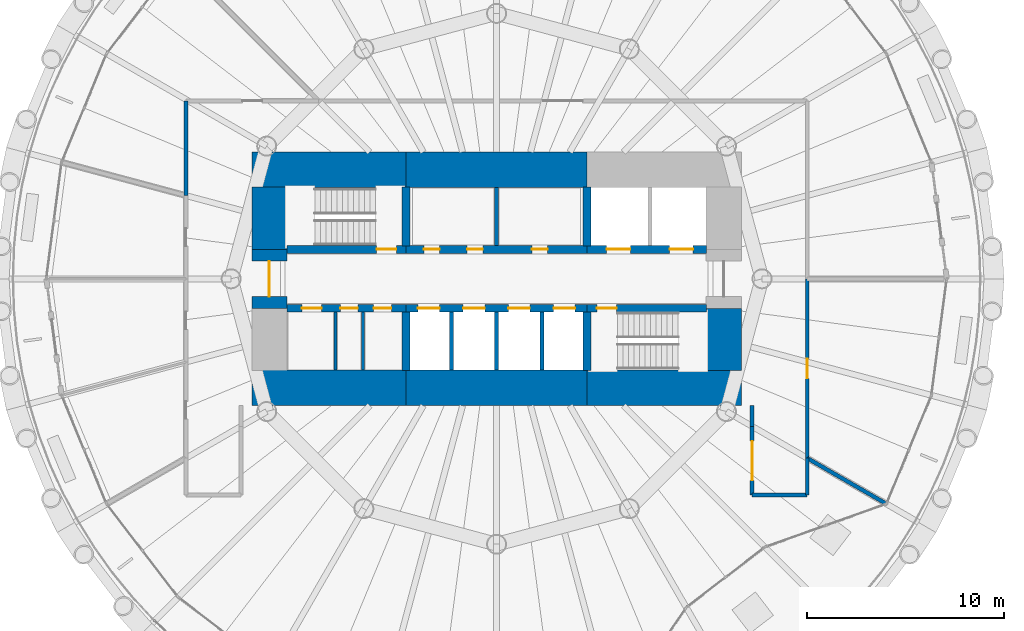
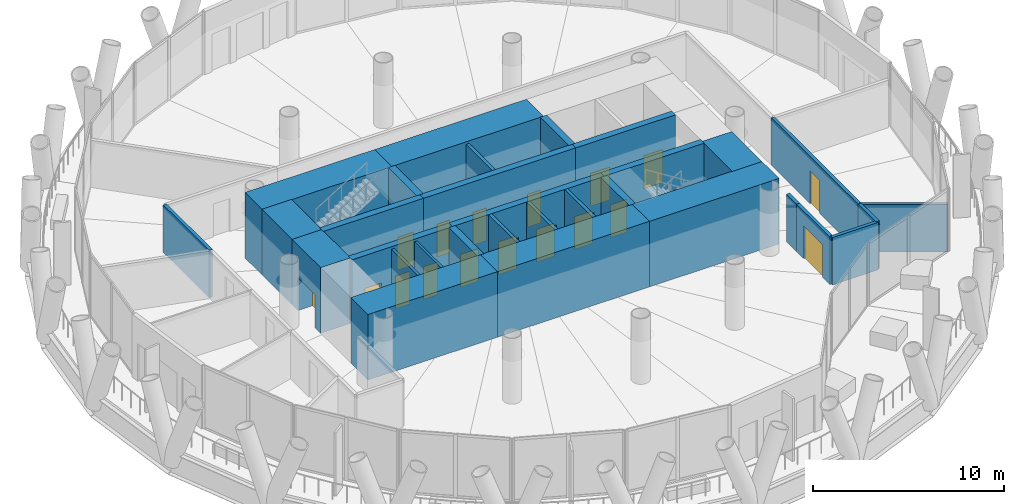
# One storey, part 10 of 15: 31 walls, 17 doors, 17 openings.
"""IFC4 building model written with IfcOpenShell, lengths in metres."""

from ifc_helpers import new_model, si_unit, direction, frame, frame_2d, origin, place, context, subcontext, project, spatial, rectangle, extrude, material, layer, layer_set, type_object, element, fill, save


model = new_model("IFC4")

# Units and contexts
model_context = context("Model", 3, precision=1e-05, world=origin(), true_north=direction((0.0, 1.0)))
body_context = subcontext(model_context, "Body", "Model", "MODEL_VIEW")
ifc_project = project(units=[si_unit("LENGTHUNIT", "METRE"), si_unit("AREAUNIT", "SQUARE_METRE"), si_unit("VOLUMEUNIT", "CUBIC_METRE"), si_unit("PLANEANGLEUNIT", "RADIAN"), si_unit("MASSUNIT", "GRAM", prefix="KILO")], contexts=[model_context])

# Site, building, storey
site_placement = place(None, origin())
site = spatial("IfcSite", under=ifc_project, at=site_placement, CompositionType="ELEMENT")
building_placement = place(site_placement, origin())
building = spatial("IfcBuilding", under=site, at=building_placement, Name="Qaws Media Tower", CompositionType="ELEMENT")
storey_placement = place(building_placement, frame((0.0, 0.0, 110.0)))
storey = spatial("IfcBuildingStorey", under=building, at=storey_placement, Name="L24", CompositionType="ELEMENT", Elevation=110.0)

# Wall, opening, door
ifc_material_1 = material(Name="Concrete C60/75", Category="concrete")
ifc_layer_1 = layer(ifc_material_1, 0.39990234375)
ifc_layer_set_1 = layer_set([ifc_layer_1], Name="Core inner wall 400")
wall_type_1 = type_object("IfcWallType", Name="Core inner wall 400", PredefinedType="SHEAR", material=ifc_layer_set_1)
wall_1_placement = place(storey_placement, frame((49.330078125, 51.5, 0.0), z_axis=(0.0, 0.0, 1.0), x_axis=(1.0, 0.0, 0.0)))
wall_1 = element("IfcWall", 1, at=wall_1_placement, inside=storey, type_object=wall_type_1, Name="W321 SW4 core wall SPNW L24", PredefinedType="SHEAR", context=body_context, shape_type="SweptSolid", body=[
    extrude(rectangle(XDim=6.06982421875, YDim=0.39990234375, at=frame_2d((3.034912109375, 0.0))), origin(), (0.0, 0.0, 1.0), 4.199951171875),
])
opening_1_placement = place(wall_1_placement, frame((4.570068359375, 0.0, 0.0)))
opening_1 = element("IfcOpeningElement", 2, at=opening_1_placement, cuts=wall_1, Name="Opening D1", PredefinedType="OPENING", context=body_context, shape_type="SweptSolid", body=[
    extrude(rectangle(XDim=1.0, YDim=2.10009765625, at=frame_2d((0.5, 1.050048828125))), frame((0.0, 0.2099609375, 0.0), z_axis=(0.0, -1.0, 0.0), x_axis=(1.0, 0.0, 0.0)), (0.0, 0.0, 1.0), 0.419921875),
])
ifc_material_2 = material(Name="Steel, fire rated", Category="steel")
door_type_1 = type_object("IfcDoorType", Name="Stair door 1000 FD120", OperationType="SINGLE_SWING_LEFT", PredefinedType="DOOR", material=ifc_material_2)
door_1_placement = place(opening_1_placement, origin())
door_1 = element("IfcDoor", 3, at=door_1_placement, inside=storey, type_object=door_type_1, Name="D1 stair S1 door L24 in wall W321", OperationType="SINGLE_SWING_LEFT", OverallHeight=2.10009765625, OverallWidth=1.0, PredefinedType="DOOR", context=body_context, shape_type="SweptSolid", body=[
    extrude(rectangle(XDim=1.0, YDim=2.10009765625, at=frame_2d((0.5, 1.050048828125))), frame((0.0, 0.02490234375, 0.0), z_axis=(0.0, -1.0, 0.0), x_axis=(1.0, 0.0, 0.0)), (0.0, 0.0, 1.0), 0.050048828125),
])
fill(opening_1, door_1)

# Wall, openings, doors
wall_2_placement = place(storey_placement, frame((55.39990234375, 51.5, 0.0), z_axis=(0.0, 0.0, 1.0), x_axis=(1.0, 0.0, 0.0)))
wall_2 = element("IfcWall", 4, at=wall_2_placement, inside=storey, type_object=wall_type_1, Name="W314 SW4 core wall SPN L24", PredefinedType="SHEAR", context=body_context, shape_type="SweptSolid", body=[
    extrude(rectangle(XDim=9.2001953125, YDim=0.39990234375, at=frame_2d((4.60009765625, 0.0))), origin(), (0.0, 0.0, 1.0), 4.199951171875),
])
opening_2_placement = place(wall_2_placement, frame((0.89990234375, 0.0, 0.0)))
opening_2 = element("IfcOpeningElement", 5, at=opening_2_placement, cuts=wall_2, Name="Opening D23", PredefinedType="OPENING", context=body_context, shape_type="SweptSolid", body=[
    extrude(rectangle(XDim=0.800048828125, YDim=2.10009765625, at=frame_2d((0.39990234375, 1.050048828125))), frame((0.0, 0.2099609375, 0.0), z_axis=(0.0, -1.0, 0.0), x_axis=(1.0, 0.0, 0.0)), (0.0, 0.0, 1.0), 0.419921875),
])
opening_3_placement = place(wall_2_placement, frame((3.10009765625, 0.0, 0.0)))
opening_3 = element("IfcOpeningElement", 6, at=opening_3_placement, cuts=wall_2, Name="Opening D23", PredefinedType="OPENING", context=body_context, shape_type="SweptSolid", body=[
    extrude(rectangle(XDim=0.800048828125, YDim=2.10009765625, at=frame_2d((0.39990234375, 1.050048828125))), frame((0.0, 0.2099609375, 0.0), z_axis=(0.0, -1.0, 0.0), x_axis=(1.0, 0.0, 0.0)), (0.0, 0.0, 1.0), 0.419921875),
])
opening_4_placement = place(wall_2_placement, frame((6.39990234375, 0.0, 0.0)))
opening_4 = element("IfcOpeningElement", 7, at=opening_4_placement, cuts=wall_2, Name="Opening D23", PredefinedType="OPENING", context=body_context, shape_type="SweptSolid", body=[
    extrude(rectangle(XDim=0.800048828125, YDim=2.10009765625, at=frame_2d((0.39990234375, 1.050048828125))), frame((0.0, 0.2099609375, 0.0), z_axis=(0.0, -1.0, 0.0), x_axis=(1.0, 0.0, 0.0)), (0.0, 0.0, 1.0), 0.419921875),
])
ifc_material_3 = material(Name="Steel, fire rated", Category="steel")
door_type_2 = type_object("IfcDoorType", Name="Core room door 800x2100", OperationType="SINGLE_SWING_LEFT", PredefinedType="DOOR", material=ifc_material_3)
door_2_placement = place(opening_2_placement, origin())
door_2 = element("IfcDoor", 8, at=door_2_placement, inside=storey, type_object=door_type_2, Name="D23 Ladies toilets door L24 1 in wall W314", OperationType="SINGLE_SWING_LEFT", OverallHeight=2.10009765625, OverallWidth=0.800048828125, PredefinedType="DOOR", context=body_context, shape_type="SweptSolid", body=[
    extrude(rectangle(XDim=0.800048828125, YDim=2.10009765625, at=frame_2d((0.39990234375, 1.050048828125))), frame((0.0, 0.02490234375, 0.0), z_axis=(0.0, -1.0, 0.0), x_axis=(1.0, 0.0, 0.0)), (0.0, 0.0, 1.0), 0.050048828125),
])
fill(opening_2, door_2)
door_3_placement = place(opening_3_placement, origin())
door_3 = element("IfcDoor", 9, at=door_3_placement, inside=storey, type_object=door_type_2, Name="D23 Ladies toilets door L24 2 in wall W314", OperationType="SINGLE_SWING_LEFT", OverallHeight=2.10009765625, OverallWidth=0.800048828125, PredefinedType="DOOR", context=body_context, shape_type="SweptSolid", body=[
    extrude(rectangle(XDim=0.800048828125, YDim=2.10009765625, at=frame_2d((0.39990234375, 1.050048828125))), frame((0.0, 0.02490234375, 0.0), z_axis=(0.0, -1.0, 0.0), x_axis=(1.0, 0.0, 0.0)), (0.0, 0.0, 1.0), 0.050048828125),
])
fill(opening_3, door_3)
door_4_placement = place(opening_4_placement, origin())
door_4 = element("IfcDoor", 10, at=door_4_placement, inside=storey, type_object=door_type_2, Name="D23 Gents toilets door L24 in wall W314", OperationType="SINGLE_SWING_LEFT", OverallHeight=2.10009765625, OverallWidth=0.800048828125, PredefinedType="DOOR", context=body_context, shape_type="SweptSolid", body=[
    extrude(rectangle(XDim=0.800048828125, YDim=2.10009765625, at=frame_2d((0.39990234375, 1.050048828125))), frame((0.0, 0.02490234375, 0.0), z_axis=(0.0, -1.0, 0.0), x_axis=(1.0, 0.0, 0.0)), (0.0, 0.0, 1.0), 0.050048828125),
])
fill(opening_4, door_4)

wall_3_placement = place(storey_placement, frame((64.60009765625, 51.5, 0.0), z_axis=(0.0, 0.0, 1.0), x_axis=(1.0, 0.0, 0.0)))
wall_3 = element("IfcWall", 11, at=wall_3_placement, inside=storey, type_object=wall_type_1, Name="W326 SW4 core wall SPNE L24", PredefinedType="SHEAR", context=body_context, shape_type="SweptSolid", body=[
    extrude(rectangle(XDim=6.06982421875, YDim=0.39990234375, at=frame_2d((3.034912109375, 0.0))), origin(), (0.0, 0.0, 1.0), 4.199951171875),
])
opening_5_placement = place(wall_3_placement, frame((1.0, 0.0, 0.0)))
opening_5 = element("IfcOpeningElement", 12, at=opening_5_placement, cuts=wall_3, Name="Opening LD2", PredefinedType="OPENING", context=body_context, shape_type="SweptSolid", body=[
    extrude(rectangle(XDim=1.199951171875, YDim=2.10009765625, at=frame_2d((0.60009765625, 1.050048828125))), frame((0.0, 0.2099609375, 0.0), z_axis=(0.0, -1.0, 0.0), x_axis=(1.0, 0.0, 0.0)), (0.0, 0.0, 1.0), 0.419921875),
])
opening_6_placement = place(wall_3_placement, frame((4.199951171875, 0.0, 0.0)))
opening_6 = element("IfcOpeningElement", 13, at=opening_6_placement, cuts=wall_3, Name="Opening LD2", PredefinedType="OPENING", context=body_context, shape_type="SweptSolid", body=[
    extrude(rectangle(XDim=1.199951171875, YDim=2.10009765625, at=frame_2d((0.60009765625, 1.050048828125))), frame((0.0, 0.2099609375, 0.0), z_axis=(0.0, -1.0, 0.0), x_axis=(1.0, 0.0, 0.0)), (0.0, 0.0, 1.0), 0.419921875),
])
ifc_material_4 = material(Name="Steel, fire rated", Category="steel")
door_type_3 = type_object("IfcDoorType", Name="Lift landing door 1200", OperationType="SLIDING_TO_LEFT", PredefinedType="DOOR", material=ifc_material_4)
door_5_placement = place(opening_5_placement, origin())
door_5 = element("IfcDoor", 14, at=door_5_placement, inside=storey, type_object=door_type_3, Name="FL1 landing door L24 in wall W326", OperationType="SLIDING_TO_LEFT", OverallHeight=2.10009765625, OverallWidth=1.199951171875, PredefinedType="DOOR", context=body_context, shape_type="SweptSolid", body=[
    extrude(rectangle(XDim=1.199951171875, YDim=2.10009765625, at=frame_2d((0.60009765625, 1.050048828125))), frame((0.0, 0.02490234375, 0.0), z_axis=(0.0, -1.0, 0.0), x_axis=(1.0, 0.0, 0.0)), (0.0, 0.0, 1.0), 0.050048828125),
])
fill(opening_5, door_5)
door_6_placement = place(opening_6_placement, origin())
door_6 = element("IfcDoor", 15, at=door_6_placement, inside=storey, type_object=door_type_3, Name="FL2 landing door L24 in wall W326", OperationType="SLIDING_TO_LEFT", OverallHeight=2.10009765625, OverallWidth=1.199951171875, PredefinedType="DOOR", context=body_context, shape_type="SweptSolid", body=[
    extrude(rectangle(XDim=1.199951171875, YDim=2.10009765625, at=frame_2d((0.60009765625, 1.050048828125))), frame((0.0, 0.02490234375, 0.0), z_axis=(0.0, -1.0, 0.0), x_axis=(1.0, 0.0, 0.0)), (0.0, 0.0, 1.0), 0.050048828125),
])
fill(opening_6, door_6)

wall_4_placement = place(storey_placement, frame((49.330078125, 48.5, 0.0), z_axis=(0.0, 0.0, 1.0), x_axis=(1.0, 0.0, 0.0)))
wall_4 = element("IfcWall", 16, at=wall_4_placement, inside=storey, type_object=wall_type_1, Name="W320 SW4 core wall SPSW L24", PredefinedType="SHEAR", context=body_context, shape_type="SweptSolid", body=[
    extrude(rectangle(XDim=6.06982421875, YDim=0.39990234375, at=frame_2d((3.034912109375, 0.0))), origin(), (0.0, 0.0, 1.0), 4.199951171875),
])
opening_7_placement = place(wall_4_placement, frame((0.77001953125, 0.0, 0.0)))
opening_7 = element("IfcOpeningElement", 17, at=opening_7_placement, cuts=wall_4, Name="Opening D4", PredefinedType="OPENING", context=body_context, shape_type="SweptSolid", body=[
    extrude(rectangle(XDim=1.0, YDim=2.10009765625, at=frame_2d((0.5, 1.050048828125))), frame((0.0, 0.2099609375, 0.0), z_axis=(0.0, -1.0, 0.0), x_axis=(1.0, 0.0, 0.0)), (0.0, 0.0, 1.0), 0.419921875),
])
opening_8_placement = place(wall_4_placement, frame((2.719970703125, 0.0, 0.0)))
opening_8 = element("IfcOpeningElement", 18, at=opening_8_placement, cuts=wall_4, Name="Opening D25", PredefinedType="OPENING", context=body_context, shape_type="SweptSolid", body=[
    extrude(rectangle(XDim=0.89990234375, YDim=2.10009765625, at=frame_2d((0.449951171875, 1.050048828125))), frame((0.0, 0.2099609375, 0.0), z_axis=(0.0, -1.0, 0.0), x_axis=(1.0, 0.0, 0.0)), (0.0, 0.0, 1.0), 0.419921875),
])
opening_9_placement = place(wall_4_placement, frame((4.419921875, 0.0, 0.0)))
opening_9 = element("IfcOpeningElement", 19, at=opening_9_placement, cuts=wall_4, Name="Opening D25", PredefinedType="OPENING", context=body_context, shape_type="SweptSolid", body=[
    extrude(rectangle(XDim=0.89990234375, YDim=2.10009765625, at=frame_2d((0.449951171875, 1.050048828125))), frame((0.0, 0.2099609375, 0.0), z_axis=(0.0, -1.0, 0.0), x_axis=(1.0, 0.0, 0.0)), (0.0, 0.0, 1.0), 0.419921875),
])
ifc_material_5 = material(Name="Timber veneered", Category="wood")
door_type_4 = type_object("IfcDoorType", Name="Accessible WC door 1000", OperationType="SLIDING_TO_LEFT", PredefinedType="DOOR", material=ifc_material_5)
door_7_placement = place(opening_7_placement, origin())
door_7 = element("IfcDoor", 20, at=door_7_placement, inside=storey, type_object=door_type_4, Name="D4 toilet door 1 L24 in wall W320", OperationType="SLIDING_TO_LEFT", OverallHeight=2.10009765625, OverallWidth=1.0, PredefinedType="DOOR", context=body_context, shape_type="SweptSolid", body=[
    extrude(rectangle(XDim=1.0, YDim=2.10009765625, at=frame_2d((0.5, 1.050048828125))), frame((0.0, 0.02490234375, 0.0), z_axis=(0.0, -1.0, 0.0), x_axis=(1.0, 0.0, 0.0)), (0.0, 0.0, 1.0), 0.050048828125),
])
fill(opening_7, door_7)
ifc_material_6 = material(Name="Steel, fire rated", Category="steel")
door_type_5 = type_object("IfcDoorType", Name="Core service door 900", OperationType="SINGLE_SWING_RIGHT", PredefinedType="DOOR", material=ifc_material_6)
door_8_placement = place(opening_8_placement, origin())
door_8 = element("IfcDoor", 21, at=door_8_placement, inside=storey, type_object=door_type_5, Name="D25 toilet door 2 L24 in wall W320", OperationType="SINGLE_SWING_RIGHT", OverallHeight=2.10009765625, OverallWidth=0.89990234375, PredefinedType="DOOR", context=body_context, shape_type="SweptSolid", body=[
    extrude(rectangle(XDim=0.89990234375, YDim=2.10009765625, at=frame_2d((0.449951171875, 1.050048828125))), frame((0.0, 0.02490234375, 0.0), z_axis=(0.0, -1.0, 0.0), x_axis=(1.0, 0.0, 0.0)), (0.0, 0.0, 1.0), 0.050048828125),
])
fill(opening_8, door_8)
door_9_placement = place(opening_9_placement, origin())
door_9 = element("IfcDoor", 22, at=door_9_placement, inside=storey, type_object=door_type_5, Name="D25 toilet door 3 L24 in wall W320", OperationType="SINGLE_SWING_RIGHT", OverallHeight=2.10009765625, OverallWidth=0.89990234375, PredefinedType="DOOR", context=body_context, shape_type="SweptSolid", body=[
    extrude(rectangle(XDim=0.89990234375, YDim=2.10009765625, at=frame_2d((0.449951171875, 1.050048828125))), frame((0.0, 0.02490234375, 0.0), z_axis=(0.0, -1.0, 0.0), x_axis=(1.0, 0.0, 0.0)), (0.0, 0.0, 1.0), 0.050048828125),
])
fill(opening_9, door_9)

wall_5_placement = place(storey_placement, frame((55.39990234375, 48.5, 0.0), z_axis=(0.0, 0.0, 1.0), x_axis=(1.0, 0.0, 0.0)))
wall_5 = element("IfcWall", 23, at=wall_5_placement, inside=storey, type_object=wall_type_1, Name="W313 SW4 core wall SPS L24", PredefinedType="SHEAR", context=body_context, shape_type="SweptSolid", body=[
    extrude(rectangle(XDim=9.2001953125, YDim=0.39990234375, at=frame_2d((4.60009765625, 0.0))), origin(), (0.0, 0.0, 1.0), 4.199951171875),
])
opening_10_placement = place(wall_5_placement, frame((0.60009765625, 0.0, 0.0)))
opening_10 = element("IfcOpeningElement", 24, at=opening_10_placement, cuts=wall_5, Name="Opening LD", PredefinedType="OPENING", context=body_context, shape_type="SweptSolid", body=[
    extrude(rectangle(XDim=1.10009765625, YDim=2.10009765625, at=frame_2d((0.550048828125, 1.050048828125))), frame((0.0, 0.2099609375, 0.0), z_axis=(0.0, -1.0, 0.0), x_axis=(1.0, 0.0, 0.0)), (0.0, 0.0, 1.0), 0.419921875),
])
opening_11_placement = place(wall_5_placement, frame((2.89990234375, 0.0, 0.0)))
opening_11 = element("IfcOpeningElement", 25, at=opening_11_placement, cuts=wall_5, Name="Opening LD", PredefinedType="OPENING", context=body_context, shape_type="SweptSolid", body=[
    extrude(rectangle(XDim=1.10009765625, YDim=2.10009765625, at=frame_2d((0.550048828125, 1.050048828125))), frame((0.0, 0.2099609375, 0.0), z_axis=(0.0, -1.0, 0.0), x_axis=(1.0, 0.0, 0.0)), (0.0, 0.0, 1.0), 0.419921875),
])
opening_12_placement = place(wall_5_placement, frame((5.199951171875, 0.0, 0.0)))
opening_12 = element("IfcOpeningElement", 26, at=opening_12_placement, cuts=wall_5, Name="Opening LD", PredefinedType="OPENING", context=body_context, shape_type="SweptSolid", body=[
    extrude(rectangle(XDim=1.10009765625, YDim=2.10009765625, at=frame_2d((0.550048828125, 1.050048828125))), frame((0.0, 0.2099609375, 0.0), z_axis=(0.0, -1.0, 0.0), x_axis=(1.0, 0.0, 0.0)), (0.0, 0.0, 1.0), 0.419921875),
])
opening_13_placement = place(wall_5_placement, frame((7.5, 0.0, 0.0)))
opening_13 = element("IfcOpeningElement", 27, at=opening_13_placement, cuts=wall_5, Name="Opening LD", PredefinedType="OPENING", context=body_context, shape_type="SweptSolid", body=[
    extrude(rectangle(XDim=1.10009765625, YDim=2.10009765625, at=frame_2d((0.550048828125, 1.050048828125))), frame((0.0, 0.2099609375, 0.0), z_axis=(0.0, -1.0, 0.0), x_axis=(1.0, 0.0, 0.0)), (0.0, 0.0, 1.0), 0.419921875),
])
ifc_material_7 = material(Name="Steel, fire rated", Category="steel")
door_type_6 = type_object("IfcDoorType", Name="Lift landing door 1100", OperationType="SLIDING_TO_LEFT", PredefinedType="DOOR", material=ifc_material_7)
door_10_placement = place(opening_10_placement, origin())
door_10 = element("IfcDoor", 28, at=door_10_placement, inside=storey, type_object=door_type_6, Name="P5 landing door L24 in wall W313", OperationType="SLIDING_TO_LEFT", OverallHeight=2.10009765625, OverallWidth=1.10009765625, PredefinedType="DOOR", context=body_context, shape_type="SweptSolid", body=[
    extrude(rectangle(XDim=1.10009765625, YDim=2.10009765625, at=frame_2d((0.550048828125, 1.050048828125))), frame((0.0, 0.02490234375, 0.0), z_axis=(0.0, -1.0, 0.0), x_axis=(1.0, 0.0, 0.0)), (0.0, 0.0, 1.0), 0.050048828125),
])
fill(opening_10, door_10)
door_11_placement = place(opening_11_placement, origin())
door_11 = element("IfcDoor", 29, at=door_11_placement, inside=storey, type_object=door_type_6, Name="P6 landing door L24 in wall W313", OperationType="SLIDING_TO_LEFT", OverallHeight=2.10009765625, OverallWidth=1.10009765625, PredefinedType="DOOR", context=body_context, shape_type="SweptSolid", body=[
    extrude(rectangle(XDim=1.10009765625, YDim=2.10009765625, at=frame_2d((0.550048828125, 1.050048828125))), frame((0.0, 0.02490234375, 0.0), z_axis=(0.0, -1.0, 0.0), x_axis=(1.0, 0.0, 0.0)), (0.0, 0.0, 1.0), 0.050048828125),
])
fill(opening_11, door_11)
door_12_placement = place(opening_12_placement, origin())
door_12 = element("IfcDoor", 30, at=door_12_placement, inside=storey, type_object=door_type_6, Name="P7 landing door L24 in wall W313", OperationType="SLIDING_TO_LEFT", OverallHeight=2.10009765625, OverallWidth=1.10009765625, PredefinedType="DOOR", context=body_context, shape_type="SweptSolid", body=[
    extrude(rectangle(XDim=1.10009765625, YDim=2.10009765625, at=frame_2d((0.550048828125, 1.050048828125))), frame((0.0, 0.02490234375, 0.0), z_axis=(0.0, -1.0, 0.0), x_axis=(1.0, 0.0, 0.0)), (0.0, 0.0, 1.0), 0.050048828125),
])
fill(opening_12, door_12)
door_13_placement = place(opening_13_placement, origin())
door_13 = element("IfcDoor", 31, at=door_13_placement, inside=storey, type_object=door_type_6, Name="P8 landing door L24 in wall W313", OperationType="SLIDING_TO_LEFT", OverallHeight=2.10009765625, OverallWidth=1.10009765625, PredefinedType="DOOR", context=body_context, shape_type="SweptSolid", body=[
    extrude(rectangle(XDim=1.10009765625, YDim=2.10009765625, at=frame_2d((0.550048828125, 1.050048828125))), frame((0.0, 0.02490234375, 0.0), z_axis=(0.0, -1.0, 0.0), x_axis=(1.0, 0.0, 0.0)), (0.0, 0.0, 1.0), 0.050048828125),
])
fill(opening_13, door_13)

# Wall, opening, door
wall_6_placement = place(storey_placement, frame((64.60009765625, 48.5, 0.0), z_axis=(0.0, 0.0, 1.0), x_axis=(1.0, 0.0, 0.0)))
wall_6 = element("IfcWall", 32, at=wall_6_placement, inside=storey, type_object=wall_type_1, Name="W325 SW4 core wall SPSE L24", PredefinedType="SHEAR", context=body_context, shape_type="SweptSolid", body=[
    extrude(rectangle(XDim=6.06982421875, YDim=0.39990234375, at=frame_2d((3.034912109375, 0.0))), origin(), (0.0, 0.0, 1.0), 4.199951171875),
])
opening_14_placement = place(wall_6_placement, frame((0.5, 0.0, 0.0)))
opening_14 = element("IfcOpeningElement", 33, at=opening_14_placement, cuts=wall_6, Name="Opening D1", PredefinedType="OPENING", context=body_context, shape_type="SweptSolid", body=[
    extrude(rectangle(XDim=1.0, YDim=2.10009765625, at=frame_2d((0.5, 1.050048828125))), frame((0.0, 0.2099609375, 0.0), z_axis=(0.0, -1.0, 0.0), x_axis=(1.0, 0.0, 0.0)), (0.0, 0.0, 1.0), 0.419921875),
])
door_14_placement = place(opening_14_placement, origin())
door_14 = element("IfcDoor", 34, at=door_14_placement, inside=storey, type_object=door_type_1, Name="D1 stair S2 door L24 in wall W325", OperationType="SINGLE_SWING_LEFT", OverallHeight=2.10009765625, OverallWidth=1.0, PredefinedType="DOOR", context=body_context, shape_type="SweptSolid", body=[
    extrude(rectangle(XDim=1.0, YDim=2.10009765625, at=frame_2d((0.5, 1.050048828125))), frame((0.0, 0.02490234375, 0.0), z_axis=(0.0, -1.0, 0.0), x_axis=(1.0, 0.0, 0.0)), (0.0, 0.0, 1.0), 0.050048828125),
])
fill(opening_14, door_14)

# Walls
for number, where, z_axis, x_axis, name in (
    (35, (55.39990234375, 51.679931640625, 0.0), (0.0, 0.0, 1.0), (0.0, 1.0, 0.0), "W323 SW4 core wall XNW L24"),
    (36, (64.60009765625, 51.679931640625, 0.0), (0.0, 0.0, 1.0), (0.0, 1.0, 0.0), "W327 SW4 core wall XNE L24"),
    (37, (55.39990234375, 48.320068359375, 0.0), (0.0, 0.0, 1.0), (0.0, -1.0, 0.0), "W322 SW4 core wall XSW L24"),
    (38, (64.60009765625, 48.320068359375, 0.0), (0.0, 0.0, 1.0), (0.0, -1.0, 0.0), "W324 SW4 core wall XSE L24"),
):
    element("IfcWall", number, at=place(storey_placement, frame(where, z_axis=z_axis, x_axis=x_axis)), inside=storey, type_object=wall_type_1, Name=name, PredefinedType="SHEAR", context=body_context, shape_type="SweptSolid", body=[
        extrude(rectangle(XDim=2.989990234375, YDim=0.39990234375, at=frame_2d((1.4951171875, 0.0))), origin(), (0.0, 0.0, 1.0), 4.199951171875),
    ])
ifc_material_8 = material(Name="Concrete C60/75", Category="concrete")
ifc_layer_2 = layer(ifc_material_8, 1.800048828125)
ifc_layer_set_2 = layer_set([ifc_layer_2], Name="Core wall 1800")
wall_type_2 = type_object("IfcWallType", Name="Core wall 1800", PredefinedType="SHEAR", material=ifc_layer_set_2)
wall_7_placement = place(storey_placement, frame((47.550048828125, 55.550048828125, 0.0), z_axis=(0.0, 0.0, 1.0), x_axis=(1.0, 0.0, 0.0)))
element("IfcWall", 39, at=wall_7_placement, inside=storey, type_object=wall_type_2, Name="W417 SW11 core wall NW L24", PredefinedType="SHEAR", context=body_context, shape_type="SweptSolid", body=[
    extrude(rectangle(XDim=7.849853515625, YDim=1.800048828125, at=frame_2d((3.9248046875, 0.0))), origin(), (0.0, 0.0, 1.0), 4.199951171875),
])
wall_8_placement = place(storey_placement, frame((55.39990234375, 55.550048828125, 0.0), z_axis=(0.0, 0.0, 1.0), x_axis=(1.0, 0.0, 0.0)))
element("IfcWall", 40, at=wall_8_placement, inside=storey, type_object=wall_type_2, Name="W421 SW11 core wall N L24", PredefinedType="SHEAR", context=body_context, shape_type="SweptSolid", body=[
    extrude(rectangle(XDim=9.2001953125, YDim=1.800048828125, at=frame_2d((4.60009765625, 0.0))), origin(), (0.0, 0.0, 1.0), 4.199951171875),
])
wall_9_placement = place(storey_placement, frame((47.550048828125, 44.449951171875, 0.0), z_axis=(0.0, 0.0, 1.0), x_axis=(1.0, 0.0, 0.0)))
element("IfcWall", 41, at=wall_9_placement, inside=storey, type_object=wall_type_2, Name="W416 SW11 core wall SW L24", PredefinedType="SHEAR", context=body_context, shape_type="SweptSolid", body=[
    extrude(rectangle(XDim=7.849853515625, YDim=1.800048828125, at=frame_2d((3.9248046875, 0.0))), origin(), (0.0, 0.0, 1.0), 4.199951171875),
])
wall_10_placement = place(storey_placement, frame((55.39990234375, 44.449951171875, 0.0), z_axis=(0.0, 0.0, 1.0), x_axis=(1.0, 0.0, 0.0)))
element("IfcWall", 42, at=wall_10_placement, inside=storey, type_object=wall_type_2, Name="W420 SW11 core wall S L24", PredefinedType="SHEAR", context=body_context, shape_type="SweptSolid", body=[
    extrude(rectangle(XDim=9.2001953125, YDim=1.800048828125, at=frame_2d((4.60009765625, 0.0))), origin(), (0.0, 0.0, 1.0), 4.199951171875),
])
wall_11_placement = place(storey_placement, frame((64.60009765625, 44.449951171875, 0.0), z_axis=(0.0, 0.0, 1.0), x_axis=(1.0, 0.0, 0.0)))
element("IfcWall", 43, at=wall_11_placement, inside=storey, type_object=wall_type_2, Name="W422 SW11 core wall SE L24", PredefinedType="SHEAR", context=body_context, shape_type="SweptSolid", body=[
    extrude(rectangle(XDim=7.849853515625, YDim=1.800048828125, at=frame_2d((3.9248046875, 0.0))), origin(), (0.0, 0.0, 1.0), 4.199951171875),
])
wall_12_placement = place(storey_placement, frame((71.550048828125, 45.330078125, 0.0), z_axis=(0.0, 0.0, 1.0), x_axis=(0.0, 1.0, 0.0)))
element("IfcWall", 44, at=wall_12_placement, inside=storey, type_object=wall_type_2, Name="W424 SW11 core wall ES L24", PredefinedType="SHEAR", context=body_context, shape_type="SweptSolid", body=[
    extrude(rectangle(XDim=3.169921875, YDim=1.800048828125, at=frame_2d((1.5849609375, 0.0))), origin(), (0.0, 0.0, 1.0), 4.199951171875),
])

# Wall, opening, door
wall_13_placement = place(storey_placement, frame((48.449951171875, 48.5, 0.0), z_axis=(0.0, 0.0, 1.0), x_axis=(0.0, 1.0, 0.0)))
wall_13 = element("IfcWall", 45, at=wall_13_placement, inside=storey, type_object=wall_type_2, Name="W426 SW11 core wall W L24", PredefinedType="SHEAR", context=body_context, shape_type="SweptSolid", body=[
    extrude(rectangle(XDim=3.0, YDim=1.800048828125, at=frame_2d((1.5, 0.0))), origin(), (0.0, 0.0, 1.0), 4.199951171875),
])
opening_15_placement = place(wall_13_placement, frame((0.60009765625, 0.0, 0.0)))
opening_15 = element("IfcOpeningElement", 46, at=opening_15_placement, cuts=wall_13, Name="Opening D2", PredefinedType="OPENING", context=body_context, shape_type="SweptSolid", body=[
    extrude(rectangle(XDim=1.800048828125, YDim=2.10009765625, at=frame_2d((0.89990234375, 1.050048828125))), frame((0.0, 0.909912109375, 0.0), z_axis=(0.0, -1.0, 0.0), x_axis=(1.0, 0.0, 0.0)), (0.0, 0.0, 1.0), 1.820068359375),
])
ifc_material_9 = material(Name="Steel and glass, fire rated", Category="steel")
door_type_7 = type_object("IfcDoorType", Name="Lobby door pair 1800 FD60", OperationType="DOUBLE_DOOR_DOUBLE_SWING", PredefinedType="DOOR", material=ifc_material_9)
door_15_placement = place(opening_15_placement, origin())
door_15 = element("IfcDoor", 47, at=door_15_placement, inside=storey, type_object=door_type_7, Name="D2 core lobby door W L24 in wall W426", OperationType="DOUBLE_DOOR_DOUBLE_SWING", OverallHeight=2.10009765625, OverallWidth=1.800048828125, PredefinedType="DOOR", context=body_context, shape_type="SweptSolid", body=[
    extrude(rectangle(XDim=1.800048828125, YDim=2.10009765625, at=frame_2d((0.89990234375, 1.050048828125))), frame((0.0, 0.02490234375, 0.0), z_axis=(0.0, -1.0, 0.0), x_axis=(1.0, 0.0, 0.0)), (0.0, 0.0, 1.0), 0.050048828125),
])
fill(opening_15, door_15)

# Wall
wall_14_placement = place(storey_placement, frame((48.449951171875, 51.5, 0.0), z_axis=(0.0, 0.0, 1.0), x_axis=(0.0, 1.0, 0.0)))
element("IfcWall", 48, at=wall_14_placement, inside=storey, type_object=wall_type_2, Name="W419 SW11 core wall WN L24", PredefinedType="SHEAR", context=body_context, shape_type="SweptSolid", body=[
    extrude(rectangle(XDim=3.169921875, YDim=1.800048828125, at=frame_2d((1.5849609375, 0.0))), origin(), (0.0, 0.0, 1.0), 4.199951171875),
])

# Wall, opening, door
ifc_material_10 = material(Name="Gypsum board on galvanised metal studs, acoustic double stud, deflection head", Category="gypsum")
ifc_layer_3 = layer(ifc_material_10, 0.199951171875)
ifc_layer_set_3 = layer_set([ifc_layer_3], Name="Room partition 200")
wall_type_3 = type_object("IfcWallType", Name="Room partition 200", PredefinedType="PARTITIONING", material=ifc_layer_set_3)
wall_15_placement = place(storey_placement, frame((75.800048828125, 50.0, 0.0), z_axis=(0.0, 0.0, 1.0), x_axis=(0.0, -1.0, 0.0)))
wall_15 = element("IfcWall", 49, at=wall_15_placement, inside=storey, type_object=wall_type_3, Name="W1233 IW3 partition L24", PredefinedType="PARTITIONING", context=body_context, shape_type="SweptSolid", body=[
    extrude(rectangle(XDim=9.1220703125, YDim=0.199951171875, at=frame_2d((4.56103515625, 0.0))), origin(), (0.0, 0.0, 1.0), 3.0400390625),
])
opening_16_placement = place(wall_15_placement, frame((4.06103515625, 0.0, 0.0)))
opening_16 = element("IfcOpeningElement", 50, at=opening_16_placement, cuts=wall_15, Name="Opening D5", PredefinedType="OPENING", context=body_context, shape_type="SweptSolid", body=[
    extrude(rectangle(XDim=1.0, YDim=2.10009765625, at=frame_2d((0.5, 1.050048828125))), frame((0.0, 0.10986328125, 0.0), z_axis=(0.0, -1.0, 0.0), x_axis=(1.0, 0.0, 0.0)), (0.0, 0.0, 1.0), 0.219970703125),
])
ifc_material_11 = material(Name="Timber veneered, acoustic seal", Category="wood")
door_type_8 = type_object("IfcDoorType", Name="Room door 1000", OperationType="SINGLE_SWING_LEFT", PredefinedType="DOOR", material=ifc_material_11)
door_16_placement = place(opening_16_placement, origin())
door_16 = element("IfcDoor", 51, at=door_16_placement, inside=storey, type_object=door_type_8, Name="D5 Sales office door L24 in wall W1233", OperationType="SINGLE_SWING_LEFT", OverallHeight=2.10009765625, OverallWidth=1.0, PredefinedType="DOOR", context=body_context, shape_type="SweptSolid", body=[
    extrude(rectangle(XDim=1.0, YDim=2.10009765625, at=frame_2d((0.5, 1.050048828125))), frame((0.0, 0.02490234375, 0.0), z_axis=(0.0, -1.0, 0.0), x_axis=(1.0, 0.0, 0.0)), (0.0, 0.0, 1.0), 0.050048828125),
])
fill(opening_16, door_16)

# Walls
wall_16_placement = place(storey_placement, frame((75.800048828125, 40.8779296875, 0.0), z_axis=(0.0, 0.0, 1.0), x_axis=(0.0, -1.0, 0.0)))
element("IfcWall", 52, at=wall_16_placement, inside=storey, type_object=wall_type_3, Name="W1232 IW3 partition L24", PredefinedType="PARTITIONING", context=body_context, shape_type="SweptSolid", body=[
    extrude(rectangle(XDim=1.8779296875, YDim=0.199951171875, at=frame_2d((0.93896484375, 0.0))), origin(), (0.0, 0.0, 1.0), 3.0400390625),
])
wall_17_placement = place(storey_placement, frame((75.800048828125, 39.0, 0.0), z_axis=(0.0, 0.0, 1.0), x_axis=(-1.0, 0.0, 0.0)))
element("IfcWall", 53, at=wall_17_placement, inside=storey, type_object=wall_type_3, Name="W1231 IW3 partition L24", PredefinedType="PARTITIONING", context=body_context, shape_type="SweptSolid", body=[
    extrude(rectangle(XDim=2.800048828125, YDim=0.199951171875, at=frame_2d((1.39990234375, 0.0))), origin(), (0.0, 0.0, 1.0), 3.0400390625),
])

# Wall, opening, door
wall_18_placement = place(storey_placement, frame((73.0, 39.0, 0.0), z_axis=(0.0, 0.0, 1.0), x_axis=(0.0, 1.0, 0.0)))
wall_18 = element("IfcWall", 54, at=wall_18_placement, inside=storey, type_object=wall_type_3, Name="W1228 IW3 partition L24", PredefinedType="PARTITIONING", context=body_context, shape_type="SweptSolid", body=[
    extrude(rectangle(XDim=3.494384765625, YDim=0.199951171875, at=frame_2d((1.7470703125, 0.0))), origin(), (0.0, 0.0, 1.0), 3.0400390625),
])
opening_17_placement = place(wall_18_placement, frame((0.747314453125, 0.0, 0.0)))
opening_17 = element("IfcOpeningElement", 55, at=opening_17_placement, cuts=wall_18, Name="Opening D6", PredefinedType="OPENING", context=body_context, shape_type="SweptSolid", body=[
    extrude(rectangle(XDim=2.0, YDim=2.10009765625, at=frame_2d((1.0, 1.050048828125))), frame((0.0, 0.10986328125, 0.0), z_axis=(0.0, -1.0, 0.0), x_axis=(1.0, 0.0, 0.0)), (0.0, 0.0, 1.0), 0.219970703125),
])
ifc_material_12 = material(Name="Steel, acoustic, fire rated", Category="steel")
door_type_9 = type_object("IfcDoorType", Name="Room door pair 2000", OperationType="DOUBLE_DOOR_DOUBLE_SWING", PredefinedType="DOOR", material=ifc_material_12)
door_17_placement = place(opening_17_placement, origin())
door_17 = element("IfcDoor", 56, at=door_17_placement, inside=storey, type_object=door_type_9, Name="D6 Sales office door L24 in wall W1228", OperationType="DOUBLE_DOOR_DOUBLE_SWING", OverallHeight=2.10009765625, OverallWidth=2.0, PredefinedType="DOOR", context=body_context, shape_type="SweptSolid", body=[
    extrude(rectangle(XDim=2.0, YDim=2.10009765625, at=frame_2d((1.0, 1.050048828125))), frame((0.0, 0.02490234375, 0.0), z_axis=(0.0, -1.0, 0.0), x_axis=(1.0, 0.0, 0.0)), (0.0, 0.0, 1.0), 0.050048828125),
])
fill(opening_17, door_17)

# Walls
wall_19_placement = place(storey_placement, frame((73.0, 42.494384765625, 0.0), z_axis=(0.0, 0.0, 1.0), x_axis=(0.0, 1.0, 0.0)))
element("IfcWall", 57, at=wall_19_placement, inside=storey, type_object=wall_type_3, Name="W1229 IW3 partition L24", PredefinedType="PARTITIONING", context=body_context, shape_type="SweptSolid", body=[
    extrude(rectangle(XDim=1.0556640625, YDim=0.199951171875, at=frame_2d((0.52783203125, 0.0))), origin(), (0.0, 0.0, 1.0), 3.0400390625),
])
wall_20_placement = place(storey_placement, frame((44.199951171875, 54.233642578125, 0.0), z_axis=(0.0, 0.0, 1.0), x_axis=(0.0, 1.0, 0.0)))
element("IfcWall", 58, at=wall_20_placement, inside=storey, type_object=wall_type_3, Name="W1219 IW3 partition L24", PredefinedType="PARTITIONING", context=body_context, shape_type="SweptSolid", body=[
    extrude(rectangle(XDim=4.81640625, YDim=0.199951171875, at=frame_2d((2.408203125, 0.0))), origin(), (0.0, 0.0, 1.0), 3.0400390625),
])
wall_21_placement = place(storey_placement, frame((75.79638671875, 40.8798828125, 0.0), z_axis=(0.0, 0.0, 1.0), x_axis=(0.866039504189, -0.499975576588, 0.0)))
element("IfcWall", 59, at=wall_21_placement, inside=storey, type_object=wall_type_3, Name="W1230 IW3 partition L24", PredefinedType="PARTITIONING", context=body_context, shape_type="SweptSolid", body=[
    extrude(rectangle(XDim=4.619873046875, YDim=0.199951171875, at=frame_2d((2.31005859375, 0.0))), origin(), (0.0, 0.0, 1.0), 3.0400390625),
])
wall_22_placement = place(storey_placement, frame((60.0, 51.699951171875, 0.0), z_axis=(0.0, 0.0, 1.0), x_axis=(0.0, 1.0, 0.0)))
element("IfcWall", 60, at=wall_22_placement, inside=storey, type_object=wall_type_3, Name="W1227 IW3 core room partition 1 L24", PredefinedType="PARTITIONING", context=body_context, shape_type="SweptSolid", body=[
    extrude(rectangle(XDim=2.949951171875, YDim=0.199951171875, at=frame_2d((1.47509765625, 0.0))), origin(), (0.0, 0.0, 1.0), 4.0400390625),
])
ifc_material_13 = material(Name="Fire-rated gypsum board shaft wall on galvanised metal studs, deflection head", Category="gypsum")
ifc_layer_4 = layer(ifc_material_13, 0.199951171875)
ifc_layer_set_4 = layer_set([ifc_layer_4], Name="Shaft wall 200")
wall_type_4 = type_object("IfcWallType", Name="Shaft wall 200", PredefinedType="PARTITIONING", material=ifc_layer_set_4)
for number, where, z_axis, x_axis, name in (
    (61, (57.699951171875, 45.35009765625, 0.0), (0.0, 0.0, 1.0), (0.0, 1.0, 0.0), "W1860 IW1 shaft wall S1 L24"),
    (62, (60.0, 45.35009765625, 0.0), (0.0, 0.0, 1.0), (0.0, 1.0, 0.0), "W1861 IW1 shaft wall S2 L24"),
    (63, (62.300048828125, 45.35009765625, 0.0), (0.0, 0.0, 1.0), (0.0, 1.0, 0.0), "W1862 IW1 shaft wall S3 L24"),
):
    element("IfcWall", number, at=place(storey_placement, frame(where, z_axis=z_axis, x_axis=x_axis)), inside=storey, type_object=wall_type_4, Name=name, PredefinedType="PARTITIONING", context=body_context, shape_type="SweptSolid", body=[
        extrude(rectangle(XDim=2.949951171875, YDim=0.199951171875, at=frame_2d((1.47509765625, 0.0))), origin(), (0.0, 0.0, 1.0), 4.199951171875),
    ])
ifc_material_14 = material(Name="Gypsum board on galvanised metal studs, deflection head", Category="gypsum")
ifc_layer_5 = layer(ifc_material_14, 0.14990234375)
ifc_layer_set_5 = layer_set([ifc_layer_5], Name="WC partition 150")
wall_type_5 = type_object("IfcWallType", Name="WC partition 150", PredefinedType="PARTITIONING", material=ifc_layer_set_5)
for number, where, z_axis, x_axis, name in (
    (64, (51.800048828125, 45.35009765625, 0.0), (0.0, 0.0, 1.0), (0.0, 1.0, 0.0), "W1912 IW2 toilet partition 1 L24"),
    (65, (53.199951171875, 45.35009765625, 0.0), (0.0, 0.0, 1.0), (0.0, 1.0, 0.0), "W1913 IW2 toilet partition 2 L24"),
):
    element("IfcWall", number, at=place(storey_placement, frame(where, z_axis=z_axis, x_axis=x_axis)), inside=storey, type_object=wall_type_5, Name=name, PredefinedType="PARTITIONING", context=body_context, shape_type="SweptSolid", body=[
        extrude(rectangle(XDim=2.949951171875, YDim=0.14990234375, at=frame_2d((1.47509765625, 0.0))), origin(), (0.0, 0.0, 1.0), 4.0400390625),
    ])

save(model, "model.ifc")
